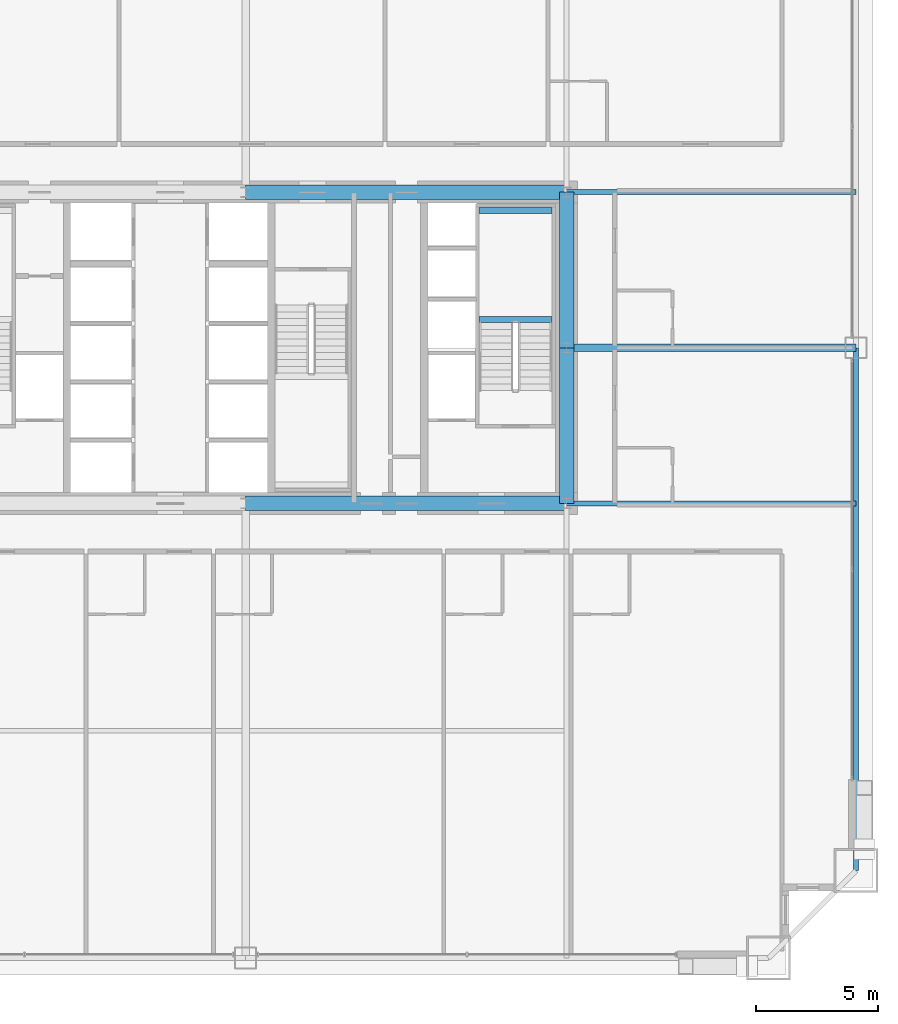
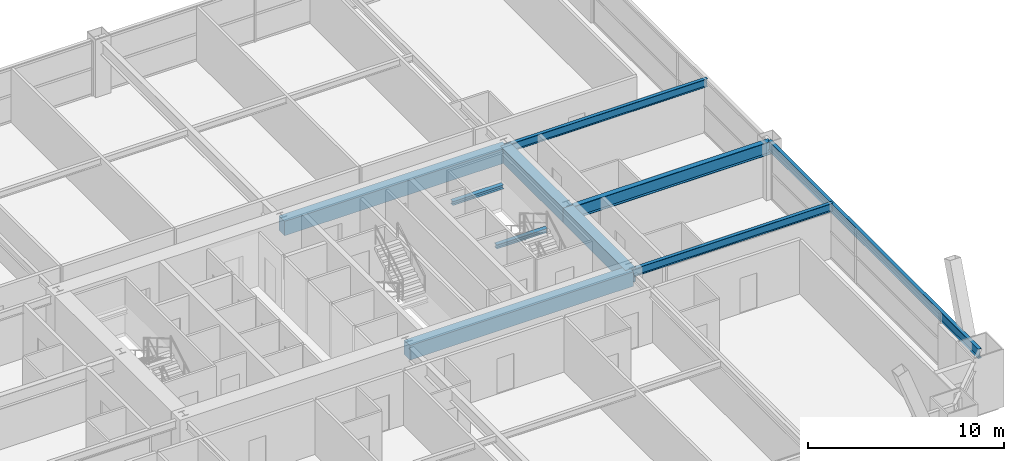
# One storey, part 18 of 43: 10 beams.
"""IFC4 building model written with IfcOpenShell, lengths in metres."""

from ifc_helpers import new_model, si_unit, direction, frame, origin, origin_2d, place, context, subcontext, project, spatial, rectangle, i_section, extrude, source, transform, mapped, material, material_profile, profile_set, type_object, element, save


model = new_model("IFC4")

# Units and contexts
model_context = context("Model", 3, precision=1e-05, world=origin(), true_north=direction((0.0, 1.0)))
body_context = subcontext(model_context, "Body", "Model", "MODEL_VIEW")
ifc_project = project(units=[si_unit("LENGTHUNIT", "METRE"), si_unit("AREAUNIT", "SQUARE_METRE"), si_unit("VOLUMEUNIT", "CUBIC_METRE"), si_unit("PLANEANGLEUNIT", "RADIAN"), si_unit("MASSUNIT", "GRAM", prefix="KILO"), si_unit("THERMODYNAMICTEMPERATUREUNIT", "KELVIN"), si_unit("POWERUNIT", "WATT")], contexts=[model_context])

# Site, building, storey
site_placement = place(None, origin())
site = spatial("IfcSite", under=ifc_project, at=site_placement, CompositionType="ELEMENT")
building_placement = place(site_placement, origin())
building = spatial("IfcBuilding", under=site, at=building_placement, Name="Yuzanri Waterfront Tower", CompositionType="ELEMENT")
storey_placement = place(building_placement, frame((0.0, 0.0, 60.39990234375)))
storey = spatial("IfcBuildingStorey", under=building, at=storey_placement, Name="L15", CompositionType="ELEMENT", Elevation=60.39990234375)

# Beams
ifc_material_1 = material(Name="Concrete C60", Category="concrete")
ifc_material_profile_1 = material_profile(ifc_material_1, rectangle(XDim=0.60009765625, YDim=0.89990234375, at=origin_2d()), Name="RC 600x900")
ifc_profile_set_1 = profile_set([ifc_material_profile_1], Name="Concrete C60")
beam_type_1 = type_object("IfcBeamType", Name="Core Coupling Lintel Concrete C60 600x900", PredefinedType="LINTEL", material=ifc_profile_set_1)
shared_shape_1 = source(origin(), body_context, "Body", "SweptSolid", [
    extrude(rectangle(XDim=0.60009765625, YDim=0.89990234375, at=origin_2d()), origin(), (0.0, 0.0, 1.0), 13.199951171875),
])
for number, where, z_axis, x_axis, name in (
    (1, (37.0, 19.39990234375, 2.93017578125), (1.0, 0.0, 0.0), (0.0, 1.0, 0.0), "L15 Core Tie Beam CS2"),
    (2, (37.0, 32.199951171875, 2.93017578125), (1.0, 0.0, 0.0), (0.0, 1.0, 0.0), "L15 Core Tie Beam CN2"),
):
    element("IfcBeam", number, at=place(storey_placement, frame(where, z_axis=z_axis, x_axis=x_axis)), inside=storey, type_object=beam_type_1, Name=name, PredefinedType="LINTEL", context=body_context, shape_type="MappedRepresentation", body=[
        mapped(shared_shape_1, transform((0.0, 0.0, 0.0), scale=1.0)),
    ])
shared_shape_2 = source(origin(), body_context, "Body", "SweptSolid", [
    extrude(rectangle(XDim=0.60009765625, YDim=0.89990234375, at=origin_2d()), origin(), (0.0, 0.0, 1.0), 6.400146484375),
])
beam_1_placement = place(storey_placement, frame((50.199951171875, 19.39990234375, 2.93017578125), z_axis=(0.0, 1.0, 0.0), x_axis=(-1.0, 0.0, 0.0)))
element("IfcBeam", 3, at=beam_1_placement, inside=storey, type_object=beam_type_1, Name="L15 Core Tie Beam CE1", PredefinedType="LINTEL", context=body_context, shape_type="MappedRepresentation", body=[
    mapped(shared_shape_2, transform((0.0, 0.0, 0.0), scale=1.0)),
])
shared_shape_3 = source(origin(), body_context, "Body", "SweptSolid", [
    extrude(rectangle(XDim=0.60009765625, YDim=0.89990234375, at=origin_2d()), origin(), (0.0, 0.0, 1.0), 6.39990234375),
])
beam_2_placement = place(storey_placement, frame((50.199951171875, 25.800048828125, 2.93017578125), z_axis=(0.0, 1.0, 0.0), x_axis=(-1.0, 0.0, 0.0)))
element("IfcBeam", 4, at=beam_2_placement, inside=storey, type_object=beam_type_1, Name="L15 Core Tie Beam CE2", PredefinedType="LINTEL", context=body_context, shape_type="MappedRepresentation", body=[
    mapped(shared_shape_3, transform((0.0, 0.0, 0.0), scale=1.0)),
])
ifc_material_2 = material(Name="Steel Q355B", Category="steel")
ifc_material_profile_2 = material_profile(ifc_material_2, i_section(OverallWidth=0.199951171875, OverallDepth=0.60009765625, WebThickness=0.010986328125, FlangeThickness=0.01708984375, at=origin_2d()), Name="HN 600x200x11x17")
ifc_profile_set_2 = profile_set([ifc_material_profile_2], Name="Steel Q355B")
beam_type_2 = type_object("IfcBeamType", Name="Perimeter Spandrel Q355B HN 600x200", PredefinedType="SPANDREL", material=ifc_profile_set_2)
shared_shape_4 = source(origin(), body_context, "Body", "SweptSolid", [
    extrude(i_section(OverallWidth=0.199951171875, OverallDepth=0.60009765625, WebThickness=0.010986328125, FlangeThickness=0.01708984375, at=origin_2d()), origin(), (0.0, 0.0, 1.0), 21.5),
])
beam_3_placement = place(storey_placement, frame((62.10009765625, 4.300048828125, 3.080078125), z_axis=(0.0, 1.0, 0.0), x_axis=(-1.0, 0.0, 0.0)))
element("IfcBeam", 5, at=beam_3_placement, inside=storey, type_object=beam_type_2, Name="L15 Perimeter Spandrel E1-E2", PredefinedType="SPANDREL", context=body_context, shape_type="MappedRepresentation", body=[
    mapped(shared_shape_4, transform((0.0, 0.0, 0.0), scale=1.0)),
])
ifc_material_3 = material(Name="Steel Q355B", Category="steel")
ifc_material_profile_3 = material_profile(ifc_material_3, i_section(OverallWidth=0.300048828125, OverallDepth=0.800048828125, WebThickness=0.013916015625, FlangeThickness=0.02587890625, at=origin_2d()), Name="HN 800x300x14x26")
ifc_profile_set_3 = profile_set([ifc_material_profile_3], Name="Steel Q355B")
beam_type_3 = type_object("IfcBeamType", Name="Primary Floor Girder Q355B HN 800x300", PredefinedType="BEAM", material=ifc_profile_set_3)
shared_shape_5 = source(origin(), body_context, "Body", "SweptSolid", [
    extrude(i_section(OverallWidth=0.300048828125, OverallDepth=0.800048828125, WebThickness=0.013916015625, FlangeThickness=0.02587890625, at=origin_2d()), origin(), (0.0, 0.0, 1.0), 11.900146484375),
])
beam_4_placement = place(storey_placement, frame((50.199951171875, 25.800048828125, 2.97998046875), z_axis=(1.0, 0.0, 0.0), x_axis=(0.0, 1.0, 0.0)))
element("IfcBeam", 6, at=beam_4_placement, inside=storey, type_object=beam_type_3, Name="L15 East Grid Girder", PredefinedType="BEAM", context=body_context, shape_type="MappedRepresentation", body=[
    mapped(shared_shape_5, transform((0.0, 0.0, 0.0), scale=1.0)),
])
ifc_material_4 = material(Name="Steel Q355B", Category="steel")
ifc_material_profile_4 = material_profile(ifc_material_4, i_section(OverallWidth=0.199951171875, OverallDepth=0.5, WebThickness=0.010009765625, FlangeThickness=0.01611328125, at=origin_2d()), Name="HN 500x200x10x16")
ifc_profile_set_4 = profile_set([ifc_material_profile_4], Name="Steel Q355B")
beam_type_4 = type_object("IfcBeamType", Name="Secondary Floor Beam Q355B HN 500x200", PredefinedType="BEAM", material=ifc_profile_set_4)
shared_shape_6 = source(origin(), body_context, "Body", "SweptSolid", [
    extrude(i_section(OverallWidth=0.199951171875, OverallDepth=0.5, WebThickness=0.010009765625, FlangeThickness=0.01611328125, at=origin_2d()), origin(), (0.0, 0.0, 1.0), 11.900146484375),
])
for number, where, z_axis, x_axis, name in (
    (7, (50.199951171875, 19.39990234375, 3.130126953125), (1.0, 0.0, 0.0), (0.0, 1.0, 0.0), "L15 East-South Core Line Beam"),
    (8, (50.199951171875, 32.199951171875, 3.130126953125), (1.0, 0.0, 0.0), (0.0, 1.0, 0.0), "L15 East-North Core Line Beam"),
):
    element("IfcBeam", number, at=place(storey_placement, frame(where, z_axis=z_axis, x_axis=x_axis)), inside=storey, type_object=beam_type_4, Name=name, PredefinedType="BEAM", context=body_context, shape_type="MappedRepresentation", body=[
        mapped(shared_shape_6, transform((0.0, 0.0, 0.0), scale=1.0)),
    ])
ifc_material_5 = material(Name="Steel Q355B", Category="steel")
ifc_material_profile_5 = material_profile(ifc_material_5, i_section(OverallWidth=0.25, OverallDepth=0.25, WebThickness=0.009033203125, FlangeThickness=0.013916015625, at=origin_2d()), Name="HW 250x250x9x14")
ifc_profile_set_5 = profile_set([ifc_material_profile_5], Name="Steel Q355B")
beam_type_5 = type_object("IfcBeamType", Name="Stair Landing Support Beam Q355B HW 250x250", PredefinedType="BEAM", material=ifc_profile_set_5)
shared_shape_7 = source(origin(), body_context, "Body", "SweptSolid", [
    extrude(i_section(OverallWidth=0.25, OverallDepth=0.25, WebThickness=0.009033203125, FlangeThickness=0.013916015625, at=origin_2d()), origin(), (0.0, 0.0, 1.0), 3.0),
])
for number, where, z_axis, x_axis, name in (
    (9, (46.60009765625, 26.969970703125, 1.47509765625), (1.0, 0.0, 0.0), (0.0, 1.0, 0.0), "L15 Stair Landing Support Beam ST-02-L15-L1-1"),
    (10, (46.60009765625, 31.449951171875, 1.47509765625), (1.0, 0.0, 0.0), (0.0, 1.0, 0.0), "L15 Stair Landing Support Beam ST-02-L15-L1-2"),
):
    element("IfcBeam", number, at=place(storey_placement, frame(where, z_axis=z_axis, x_axis=x_axis)), inside=storey, type_object=beam_type_5, Name=name, PredefinedType="BEAM", context=body_context, shape_type="MappedRepresentation", body=[
        mapped(shared_shape_7, transform((0.0, 0.0, 0.0), scale=1.0)),
    ])

save(model, "model.ifc")
